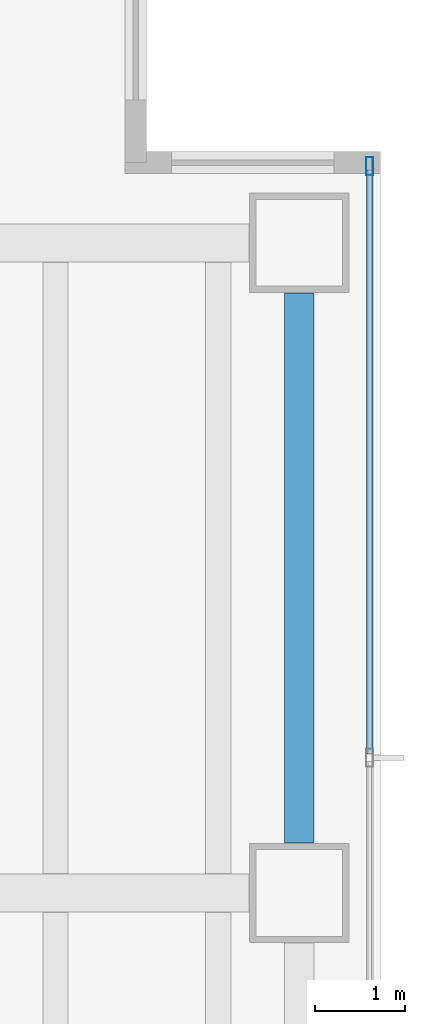
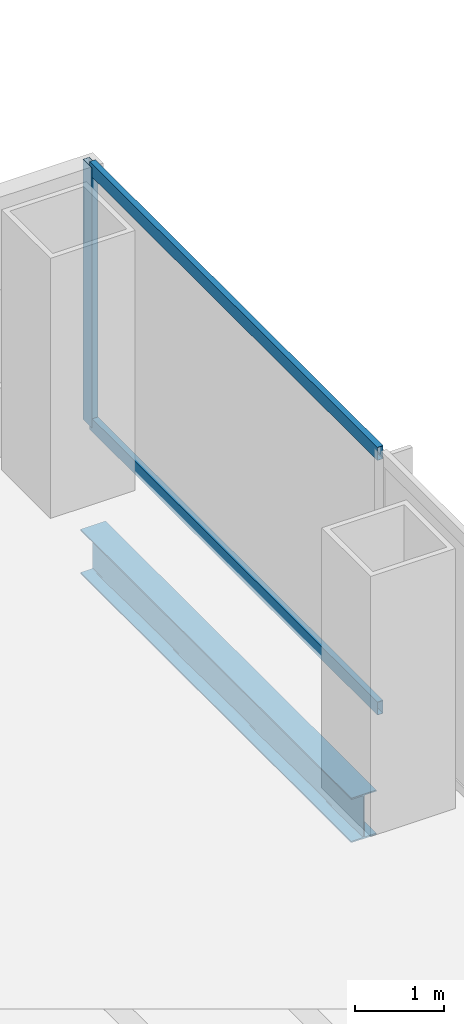
# One storey, part 13 of 25: 3 members, 1 beam, 1 element without a shape of its own.
"""IFC4 building model written with IfcOpenShell, lengths in metres."""

import ifcopenshell
import ifcopenshell.guid

model = None  # the IFC model being written
_history = None  # IfcOwnerHistory: only IFC2X3 demands one
_inside = {}  # id of a spatial element -> (the spatial element, [elements in it])
_under = {}  # id of a project, library or spatial element -> (it, [spatial elements below it])
_declared = {}  # id of a project -> (the project, [libraries it declares])
_typed = {}  # id of a type object -> (the type object, [elements of that type])
_made_of = {}  # id of a material, layer set ... -> (it, [elements and type objects made of it])


def new_model(schema):
    """Start an empty IFC model of exactly this schema.

    Asked for "IFC4X3", IfcOpenShell would pick the latest addendum, in which some entities
    have other attributes; the version numbers below select the first issue.
    IFC2X3 requires an IfcOwnerHistory on every rooted entity: one is made here for all.
    """
    global model, _history
    if schema == "IFC4X3":
        model = ifcopenshell.file(schema_version=(4, 3, 0, 0))
    else:
        model = ifcopenshell.file(schema=schema)
    _inside.clear()
    _under.clear()
    _declared.clear()
    _typed.clear()
    _made_of.clear()
    _history = None
    if model.schema == "IFC2X3":
        org = make("IfcOrganization", Name="unknown")
        user = make(
            "IfcPersonAndOrganization",
            ThePerson=make("IfcPerson", FamilyName="unknown"),
            TheOrganization=org,
        )
        app = make(
            "IfcApplication",
            ApplicationDeveloper=org,
            Version="unknown",
            ApplicationFullName="unknown",
            ApplicationIdentifier="unknown",
        )
        _history = make(
            "IfcOwnerHistory",
            OwningUser=user,
            OwningApplication=app,
            ChangeAction="ADDED",
            CreationDate=0,
        )
    return model


def make(cls, **values):
    """One entity of the class cls with the attributes given. An attribute that is None is left unset."""
    return model.create_entity(
        cls, **{name: value for name, value in values.items() if value is not None}
    )


def rooted(cls, **values):
    """An entity with a GlobalId (a new one), such as an element, a storey or a relation."""
    return make(cls, GlobalId=ifcopenshell.guid.new(), OwnerHistory=_history, **values)


def si_unit(unit_type, name, prefix=None):
    """IfcSIUnit, for example si_unit("LENGTHUNIT", "METRE", prefix="MILLI")."""
    return make("IfcSIUnit", UnitType=unit_type, Prefix=prefix, Name=name)


def assignment(units):
    """IfcUnitAssignment: the units of a project."""
    return None if units is None else make("IfcUnitAssignment", Units=units)


def point(xyz):
    """IfcCartesianPoint."""
    return None if xyz is None else make("IfcCartesianPoint", Coordinates=xyz)


def direction(xyz):
    """IfcDirection."""
    return None if xyz is None else make("IfcDirection", DirectionRatios=xyz)


def frame(location, z_axis=None, x_axis=None):
    """IfcAxis2Placement3D, a coordinate frame: its origin and axes. An axis left out is left unset."""
    return make(
        "IfcAxis2Placement3D",
        Location=point(location),
        Axis=direction(z_axis),
        RefDirection=direction(x_axis),
    )


def frame_2d(location, x_axis=None):
    """IfcAxis2Placement2D, a coordinate frame in the plane: its origin and x axis."""
    return make(
        "IfcAxis2Placement2D", Location=point(location), RefDirection=direction(x_axis)
    )


def origin():
    """The frame at (0, 0, 0) with its axes left unset."""
    return frame((0.0, 0.0, 0.0))


def origin_2d():
    """The frame at (0, 0) in the plane with its x axis left unset."""
    return frame_2d((0.0, 0.0))


def place(relative_to, where):
    """IfcLocalPlacement: puts the frame where relative to a parent placement (None: the world)."""
    return make(
        "IfcLocalPlacement", PlacementRelTo=relative_to, RelativePlacement=where
    )


def context(
    kind, dimensions, precision=None, world=None, true_north=None, identifier=None
):
    """IfcGeometricRepresentationContext, for example the 3D "Model" context."""
    return make(
        "IfcGeometricRepresentationContext",
        ContextIdentifier=identifier,
        ContextType=kind,
        CoordinateSpaceDimension=dimensions,
        Precision=precision,
        WorldCoordinateSystem=world,
        TrueNorth=true_north,
    )


def subcontext(parent, identifier, kind, view, scale=None):
    """IfcGeometricRepresentationSubContext, for example "Body" below "Model"."""
    return make(
        "IfcGeometricRepresentationSubContext",
        ContextIdentifier=identifier,
        ContextType=kind,
        ParentContext=parent,
        TargetScale=scale,
        TargetView=view,
    )


def project(units=None, contexts=None):
    """IfcProject with its units and contexts."""
    return rooted(
        "IfcProject",
        Name="project",
        RepresentationContexts=contexts,
        UnitsInContext=assignment(units),
    )


def spatial(cls, under=None, at=None, **own):
    """A site, building, storey or space (cls), placed at a placement, below another one or the project."""
    s = rooted(cls, ObjectPlacement=at, **own)
    if under is not None:
        _under.setdefault(under.id(), (under, []))[1].append(s)
    return s


def profile(cls, at=None, kind="AREA", **sizes):
    """A parametric profile (cls). Its sizes go by their IFC names, for example OverallWidth=200.0."""
    return make(cls, ProfileType=kind, Position=at, **sizes)


def hollow_rectangle(**sizes):
    """IfcRectangleHollowProfileDef."""
    return profile("IfcRectangleHollowProfileDef", **sizes)


def i_section(**sizes):
    """IfcIShapeProfileDef."""
    return profile("IfcIShapeProfileDef", **sizes)


def extrude(swept, where, along, depth):
    """IfcExtrudedAreaSolid: the profile swept, set in the frame where, extruded along a direction by depth."""
    return make(
        "IfcExtrudedAreaSolid",
        SweptArea=swept,
        Position=where,
        ExtrudedDirection=direction(along),
        Depth=depth,
    )


def shape(context_of_items, identifier, shape_type, items):
    """IfcShapeRepresentation: the items that make up one representation, for example the "Body"."""
    return make(
        "IfcShapeRepresentation",
        ContextOfItems=context_of_items,
        RepresentationIdentifier=identifier,
        RepresentationType=shape_type,
        Items=items,
    )


def material(Name=None, Category=None):
    """IfcMaterial."""
    return make("IfcMaterial", Name=Name, Category=Category)


def material_profile(
    of_material, cross_section, Name=None, Category=None, Priority=None
):
    """IfcMaterialProfile: a cross section and its material."""
    return make(
        "IfcMaterialProfile",
        Name=Name,
        Material=of_material,
        Profile=cross_section,
        Priority=Priority,
        Category=Category,
    )


def profile_set(profiles, Name=None, composite=None):
    """IfcMaterialProfileSet."""
    return make(
        "IfcMaterialProfileSet",
        Name=Name,
        MaterialProfiles=profiles,
        CompositeProfile=composite,
    )


def made_of(thing, what):
    """Note that an element or type object is made of a material, layer set ...; save() writes the relation."""
    if what is not None:
        _made_of.setdefault(what.id(), (what, []))[1].append(thing)
    return thing


def type_object(cls, material=None, **own):
    """A type object (cls), such as IfcWallType, which elements share."""
    return made_of(rooted(cls, **own), material)


def element(
    cls,
    number,
    at=None,
    inside=None,
    cuts=None,
    type_object=None,
    material=None,
    context=None,
    identifier="Body",
    shape_type=None,
    held_by="IfcProductDefinitionShape",
    body=None,
    shapes=None,
    **own,
):
    """One element of the class cls, such as IfcWall. Its Tag is "e" and its number.

    at: its placement. inside: the storey or other place that contains it. cuts: it is an
    opening in that element (IfcRelVoidsElement). A single representation is given by context,
    identifier, shape_type and body (its items); several are given by shapes. held_by: the class
    of the entity that holds the representations. save() writes the other relations.
    """
    e = rooted(cls, Tag="e%d" % number, ObjectPlacement=at, **own)
    if body is not None:
        shapes = [shape(context, identifier, shape_type, body)]
    if shapes is not None:
        e.Representation = make(held_by, Representations=shapes)
    if inside is not None:
        _inside.setdefault(inside.id(), (inside, []))[1].append(e)
    if cuts is not None:
        rooted(
            "IfcRelVoidsElement", RelatingBuildingElement=cuts, RelatedOpeningElement=e
        )
    if type_object is not None:
        _typed.setdefault(type_object.id(), (type_object, []))[1].append(e)
    return made_of(e, material)


def aggregate(whole, parts):
    """IfcRelAggregates: a whole, such as a stair, and the parts it consists of."""
    return rooted("IfcRelAggregates", RelatingObject=whole, RelatedObjects=parts)


def save(model, path):
    """Write the relations noted so far, then the file.

    IfcRelAggregates (storeys below a building ...), IfcRelContainedInSpatialStructure (elements
    in a storey), IfcRelDefinesByType, IfcRelAssociatesMaterial and IfcRelDeclares: one each for
    every whole, place, type object, material and project.
    """
    for whole, parts in _under.values():
        aggregate(whole, parts)
    for where, things in _inside.values():
        rooted(
            "IfcRelContainedInSpatialStructure",
            RelatedElements=things,
            RelatingStructure=where,
        )
    for kind, things in _typed.values():
        rooted("IfcRelDefinesByType", RelatedObjects=things, RelatingType=kind)
    for what, things in _made_of.values():
        rooted("IfcRelAssociatesMaterial", RelatedObjects=things, RelatingMaterial=what)
    for by, libraries in _declared.values():
        rooted("IfcRelDeclares", RelatingContext=by, RelatedDefinitions=libraries)
    model.write(path)


model = new_model("IFC4")

# Units and contexts
model_context = context("Model", 3, precision=1e-05, world=origin(), true_north=direction((0.0, 1.0)))
body_context = subcontext(model_context, "Body", "Model", "MODEL_VIEW")
ifc_project = project(units=[si_unit("LENGTHUNIT", "METRE"), si_unit("AREAUNIT", "SQUARE_METRE"), si_unit("VOLUMEUNIT", "CUBIC_METRE"), si_unit("PLANEANGLEUNIT", "RADIAN"), si_unit("MASSUNIT", "GRAM", prefix="KILO")], contexts=[model_context])

# Site, building, storey
site_placement = place(None, origin())
site = spatial("IfcSite", under=ifc_project, at=site_placement, CompositionType="ELEMENT")
building_placement = place(site_placement, origin())
building = spatial("IfcBuilding", under=site, at=building_placement, Name="Cobrela Telecom Tower", CompositionType="ELEMENT")
storey_placement = place(building_placement, frame((0.0, 0.0, 35.0)))
storey = spatial("IfcBuildingStorey", under=building, at=storey_placement, Name="L08", CompositionType="ELEMENT", Elevation=35.0)

# Beam
ifc_material_1 = material(Name="Steel ASTM A992 Grade 50", Category="steel")
ifc_material_profile_1 = material_profile(ifc_material_1, i_section(OverallWidth=0.324951171875, OverallDepth=0.612060546875, WebThickness=0.0126953125, FlangeThickness=0.01904296875, FilletRadius=0.014892578125, at=origin_2d()), Name="W24X104")
ifc_profile_set_1 = profile_set([ifc_material_profile_1], Name="Steel ASTM A992 Grade 50")
beam_type = type_object("IfcBeamType", Name="BM-SPAND-02", PredefinedType="SPANDREL", material=ifc_profile_set_1)
beam_placement = place(storey_placement, frame((49.5, 14.955078125, -0.5859375), z_axis=(0.0, 1.0, 0.0), x_axis=(-1.0, 0.0, 0.0)))
element("IfcBeam", 1, at=beam_placement, inside=storey, type_object=beam_type, Name="L08 Perimeter Spandrel Y57", PredefinedType="SPANDREL", context=body_context, shape_type="SweptSolid", body=[
    extrude(i_section(OverallWidth=0.324951171875, OverallDepth=0.612060546875, WebThickness=0.0126953125, FlangeThickness=0.01904296875, FilletRadius=0.014892578125, at=origin_2d()), origin(), (0.0, 0.0, 1.0), 6.08984375),
])

# Curtain wall, members
ifc_material_2 = material(Name="Anodized Bronze Aluminium 6063-T6", Category="aluminium")
curtain_wall_type = type_object("IfcCurtainWallType", Name="CW-SYS-DATA", PredefinedType="USERDEFINED", material=ifc_material_2)
curtain_wall_placement = place(storey_placement, origin())
curtain_wall = element("IfcCurtainWall", 2, at=curtain_wall_placement, inside=storey, type_object=curtain_wall_type, Name="L08 Unitised Bronze Curtain Wall 14", ObjectType="UNITISED CURTAIN WALL", PredefinedType="USERDEFINED")
ifc_material_profile_2 = material_profile(ifc_material_2, hollow_rectangle(XDim=0.080078125, YDim=0.199951171875, WallThickness=0.00390625, at=origin_2d()), Name="ALU 80x200x4")
ifc_profile_set_2 = profile_set([ifc_material_profile_2], Name="Anodized Bronze Aluminium 6063-T6")
member_type_1 = type_object("IfcMemberType", Name="CW-SYS-DATA-MUL", PredefinedType="MULLION", material=ifc_profile_set_2)
member_1_placement = place(storey_placement, frame((50.280029296875, 22.449951171875, 0.0), z_axis=(0.0, 0.0, 1.0), x_axis=(1.0, 0.0, 0.0)))
member_1 = element("IfcMember", 3, at=member_1_placement, type_object=member_type_1, Name="CW-DATA mullion 1", PredefinedType="MULLION", context=body_context, shape_type="SweptSolid", body=[
    extrude(hollow_rectangle(XDim=0.080078125, YDim=0.199951171875, WallThickness=0.00390625, at=origin_2d()), origin(), (0.0, 0.0, 1.0), 3.570068359375),
])
ifc_material_profile_3 = material_profile(ifc_material_2, hollow_rectangle(XDim=0.074951171875, YDim=0.179931640625, WallThickness=0.00390625, at=origin_2d()), Name="ALU 75x180x4")
ifc_profile_set_3 = profile_set([ifc_material_profile_3], Name="Anodized Bronze Aluminium 6063-T6")
member_type_2 = type_object("IfcMemberType", Name="CW-SYS-DATA-TRN", PredefinedType="USERDEFINED", material=ifc_profile_set_3)
member_2_placement = place(storey_placement, frame((50.280029296875, 22.409912109375, 0.03759765625), z_axis=(0.0, -1.0, 0.0), x_axis=(1.0, 0.0, 0.0)))
member_2 = element("IfcMember", 4, at=member_2_placement, type_object=member_type_2, Name="CW-DATA transom 1.1", ObjectType="TRANSOM", PredefinedType="USERDEFINED", context=body_context, shape_type="SweptSolid", body=[
    extrude(hollow_rectangle(XDim=0.074951171875, YDim=0.179931640625, WallThickness=0.00390625, at=origin_2d()), origin(), (0.0, 0.0, 1.0), 6.47314453125),
])
member_3_placement = place(storey_placement, frame((50.280029296875, 22.409912109375, 3.532470703125), z_axis=(0.0, -1.0, 0.0), x_axis=(1.0, 0.0, 0.0)))
member_3 = element("IfcMember", 5, at=member_3_placement, type_object=member_type_2, Name="CW-DATA transom 1.2", ObjectType="TRANSOM", PredefinedType="USERDEFINED", context=body_context, shape_type="SweptSolid", body=[
    extrude(hollow_rectangle(XDim=0.074951171875, YDim=0.179931640625, WallThickness=0.00390625, at=origin_2d()), origin(), (0.0, 0.0, 1.0), 6.47314453125),
])
aggregate(curtain_wall, [member_1, member_2, member_3])

save(model, "model.ifc")
